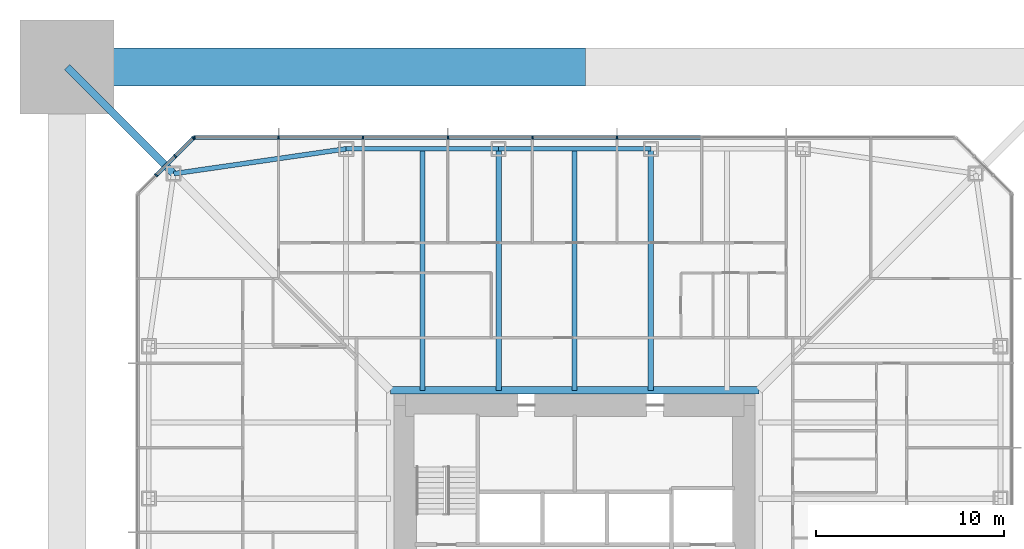
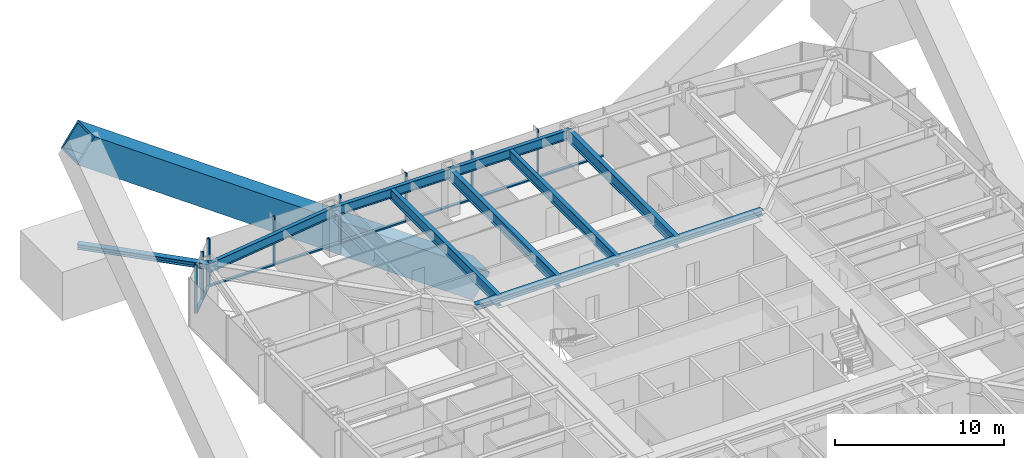
# One storey, part 8 of 28: 19 members, 8 beams, 2 elements without a shape of their own.
"""IFC4 building model written with IfcOpenShell, lengths in metres."""

from ifc_helpers import new_model, si_unit, direction, frame, origin, origin_2d, place, context, subcontext, project, spatial, rectangle, hollow_rectangle, i_section, extrude, material, material_profile, profile_set, type_object, element, aggregate, save


model = new_model("IFC4")

# Units and contexts
model_context = context("Model", 3, precision=1e-05, world=origin(), true_north=direction((0.0, 1.0)))
body_context = subcontext(model_context, "Body", "Model", "MODEL_VIEW")
ifc_project = project(units=[si_unit("LENGTHUNIT", "METRE"), si_unit("AREAUNIT", "SQUARE_METRE"), si_unit("VOLUMEUNIT", "CUBIC_METRE"), si_unit("PLANEANGLEUNIT", "RADIAN"), si_unit("MASSUNIT", "GRAM", prefix="KILO")], contexts=[model_context])

# Site, building, storey
site_placement = place(None, origin())
site = spatial("IfcSite", under=ifc_project, at=site_placement, CompositionType="ELEMENT")
building_placement = place(site_placement, origin())
building = spatial("IfcBuilding", under=site, at=building_placement, Name="Iwan Alto Co-Living Towers", CompositionType="ELEMENT")
storey_placement = place(building_placement, frame((0.0, 0.0, 64.0)))
storey = spatial("IfcBuildingStorey", under=building, at=storey_placement, Name="L17", CompositionType="ELEMENT", Elevation=64.0)

# Curtain wall, members
ifc_material_1 = material(Name="Bronze aluminium unitised frame", Category="aluminium")
curtain_wall_type_1 = type_object("IfcCurtainWallType", Name="CURTAIN WALL CW-A", PredefinedType="NOTDEFINED", material=ifc_material_1)
curtain_wall_1_placement = place(storey_placement, origin())
curtain_wall_1 = element("IfcCurtainWall", 1, at=curtain_wall_1_placement, inside=storey, type_object=curtain_wall_type_1, Name="T1 curtain wall N L17", PredefinedType="NOTDEFINED")
ifc_material_2 = material(Name="Aluminium 6063-T6 bronze anodised", Category="aluminium")
ifc_material_profile_1 = material_profile(ifc_material_2, rectangle(XDim=0.199951171875, YDim=0.080078125, at=origin_2d()), Name="AL 80X200")
ifc_profile_set_1 = profile_set([ifc_material_profile_1], Name="Aluminium 6063-T6 bronze anodised")
member_type_1 = type_object("IfcMemberType", Name="CW-A MULLION 80X200", PredefinedType="MULLION", material=ifc_profile_set_1)
member_1_placement = place(storey_placement, frame((2.25, 23.25, 0.0), z_axis=(0.0, 0.0, 1.0), x_axis=(0.0, -1.0, 0.0)))
member_1 = element("IfcMember", 2, at=member_1_placement, type_object=member_type_1, Name="CW-A mullion 5", PredefinedType="MULLION", context=body_context, shape_type="SweptSolid", body=[
    extrude(rectangle(XDim=0.199951171875, YDim=0.080078125, at=origin_2d()), origin(), (0.0, 0.0, 1.0), 3.5),
])
member_2_placement = place(storey_placement, frame((-2.25, 23.25, 0.0), z_axis=(0.0, 0.0, 1.0), x_axis=(0.0, -1.0, 0.0)))
member_2 = element("IfcMember", 3, at=member_2_placement, type_object=member_type_1, Name="CW-A mullion 6", PredefinedType="MULLION", context=body_context, shape_type="SweptSolid", body=[
    extrude(rectangle(XDim=0.199951171875, YDim=0.080078125, at=origin_2d()), origin(), (0.0, 0.0, 1.0), 3.5),
])
member_3_placement = place(storey_placement, frame((-6.75, 23.25, 0.0), z_axis=(0.0, 0.0, 1.0), x_axis=(0.0, -1.0, 0.0)))
member_3 = element("IfcMember", 4, at=member_3_placement, type_object=member_type_1, Name="CW-A mullion 7", PredefinedType="MULLION", context=body_context, shape_type="SweptSolid", body=[
    extrude(rectangle(XDim=0.199951171875, YDim=0.080078125, at=origin_2d()), origin(), (0.0, 0.0, 1.0), 3.5),
])
member_4_placement = place(storey_placement, frame((-11.25, 23.25, 0.0), z_axis=(0.0, 0.0, 1.0), x_axis=(0.0, -1.0, 0.0)))
member_4 = element("IfcMember", 5, at=member_4_placement, type_object=member_type_1, Name="CW-A mullion 8", PredefinedType="MULLION", context=body_context, shape_type="SweptSolid", body=[
    extrude(rectangle(XDim=0.199951171875, YDim=0.080078125, at=origin_2d()), origin(), (0.0, 0.0, 1.0), 3.5),
])
member_5_placement = place(storey_placement, frame((-15.75, 23.25, 0.0), z_axis=(0.0, 0.0, 1.0), x_axis=(0.0, -1.0, 0.0)))
member_5 = element("IfcMember", 6, at=member_5_placement, type_object=member_type_1, Name="CW-A mullion 9", PredefinedType="MULLION", context=body_context, shape_type="SweptSolid", body=[
    extrude(rectangle(XDim=0.199951171875, YDim=0.080078125, at=origin_2d()), origin(), (0.0, 0.0, 1.0), 3.5),
])
member_6_placement = place(storey_placement, frame((-20.2099609375, 23.25, 0.0), z_axis=(0.0, 0.0, 1.0), x_axis=(0.0, -1.0, 0.0)))
member_6 = element("IfcMember", 7, at=member_6_placement, type_object=member_type_1, Name="CW-A mullion 10", PredefinedType="MULLION", context=body_context, shape_type="SweptSolid", body=[
    extrude(rectangle(XDim=0.199951171875, YDim=0.080078125, at=origin_2d()), origin(), (0.0, 0.0, 1.0), 3.5),
])
ifc_material_3 = material(Name="Aluminium 6063-T6 bronze anodised", Category="aluminium")
ifc_material_profile_2 = material_profile(ifc_material_3, rectangle(XDim=0.199951171875, YDim=0.10009765625, at=origin_2d()), Name="AL 200X100")
ifc_profile_set_2 = profile_set([ifc_material_profile_2], Name="Aluminium 6063-T6 bronze anodised")
member_type_2 = type_object("IfcMemberType", Name="CW-A TRANSOM 200X100", PredefinedType="USERDEFINED", material=ifc_profile_set_2)
member_7_placement = place(storey_placement, frame((6.7099609375, 23.25, 0.050048828125), z_axis=(-1.0, 0.0, 0.0), x_axis=(0.0, -1.0, 0.0)))
member_7 = element("IfcMember", 8, at=member_7_placement, type_object=member_type_2, Name="CW-A transom 4.1", ObjectType="TRANSOM", PredefinedType="USERDEFINED", context=body_context, shape_type="SweptSolid", body=[
    extrude(rectangle(XDim=0.199951171875, YDim=0.10009765625, at=origin_2d()), origin(), (0.0, 0.0, 1.0), 4.419921875),
])
member_8_placement = place(storey_placement, frame((2.2099609375, 23.25, 0.050048828125), z_axis=(-1.0, 0.0, 0.0), x_axis=(0.0, -1.0, 0.0)))
member_8 = element("IfcMember", 9, at=member_8_placement, type_object=member_type_2, Name="CW-A transom 5.1", ObjectType="TRANSOM", PredefinedType="USERDEFINED", context=body_context, shape_type="SweptSolid", body=[
    extrude(rectangle(XDim=0.199951171875, YDim=0.10009765625, at=origin_2d()), origin(), (0.0, 0.0, 1.0), 4.419921875),
])
member_9_placement = place(storey_placement, frame((-2.2900390625, 23.25, 0.050048828125), z_axis=(-1.0, 0.0, 0.0), x_axis=(0.0, -1.0, 0.0)))
member_9 = element("IfcMember", 10, at=member_9_placement, type_object=member_type_2, Name="CW-A transom 6.1", ObjectType="TRANSOM", PredefinedType="USERDEFINED", context=body_context, shape_type="SweptSolid", body=[
    extrude(rectangle(XDim=0.199951171875, YDim=0.10009765625, at=origin_2d()), origin(), (0.0, 0.0, 1.0), 4.419921875),
])
member_10_placement = place(storey_placement, frame((-6.7900390625, 23.25, 0.050048828125), z_axis=(-1.0, 0.0, 0.0), x_axis=(0.0, -1.0, 0.0)))
member_10 = element("IfcMember", 11, at=member_10_placement, type_object=member_type_2, Name="CW-A transom 7.1", ObjectType="TRANSOM", PredefinedType="USERDEFINED", context=body_context, shape_type="SweptSolid", body=[
    extrude(rectangle(XDim=0.199951171875, YDim=0.10009765625, at=origin_2d()), origin(), (0.0, 0.0, 1.0), 4.419921875),
])
member_11_placement = place(storey_placement, frame((-11.2900390625, 23.25, 0.050048828125), z_axis=(-1.0, 0.0, 0.0), x_axis=(0.0, -1.0, 0.0)))
member_11 = element("IfcMember", 12, at=member_11_placement, type_object=member_type_2, Name="CW-A transom 8.1", ObjectType="TRANSOM", PredefinedType="USERDEFINED", context=body_context, shape_type="SweptSolid", body=[
    extrude(rectangle(XDim=0.199951171875, YDim=0.10009765625, at=origin_2d()), origin(), (0.0, 0.0, 1.0), 4.419921875),
])
member_12_placement = place(storey_placement, frame((-15.7900390625, 23.25, 0.050048828125), z_axis=(-1.0, 0.0, 0.0), x_axis=(0.0, -1.0, 0.0)))
member_12 = element("IfcMember", 13, at=member_12_placement, type_object=member_type_2, Name="CW-A transom 9.1", ObjectType="TRANSOM", PredefinedType="USERDEFINED", context=body_context, shape_type="SweptSolid", body=[
    extrude(rectangle(XDim=0.199951171875, YDim=0.10009765625, at=origin_2d()), origin(), (0.0, 0.0, 1.0), 4.3798828125),
])
aggregate(curtain_wall_1, [member_1, member_2, member_3, member_4, member_5, member_6, member_7, member_8, member_9, member_10, member_11, member_12])

ifc_material_4 = material(Name="Bronze aluminium unitised frame", Category="aluminium")
curtain_wall_type_2 = type_object("IfcCurtainWallType", Name="CURTAIN WALL CW-B", PredefinedType="NOTDEFINED", material=ifc_material_4)
curtain_wall_2_placement = place(storey_placement, origin())
curtain_wall_2 = element("IfcCurtainWall", 14, at=curtain_wall_2_placement, inside=storey, type_object=curtain_wall_type_2, Name="T1 chamfer curtain wall NW L17", PredefinedType="NOTDEFINED")
ifc_material_5 = material(Name="Aluminium 6063-T6 bronze anodised", Category="aluminium")
ifc_material_profile_3 = material_profile(ifc_material_5, rectangle(XDim=0.199951171875, YDim=0.080078125, at=origin_2d()), Name="AL 80X200")
ifc_profile_set_3 = profile_set([ifc_material_profile_3], Name="Aluminium 6063-T6 bronze anodised")
member_type_3 = type_object("IfcMemberType", Name="CW-B MULLION 80X200", PredefinedType="MULLION", material=ifc_profile_set_3)
member_13_placement = place(storey_placement, frame((-20.2783203125, 23.2216796875, 0.0), z_axis=(0.0, 0.0, 1.0), x_axis=(0.707106781187, -0.707106781187, 0.0)))
member_13 = element("IfcMember", 15, at=member_13_placement, type_object=member_type_3, Name="CW-B mullion 1", PredefinedType="MULLION", context=body_context, shape_type="SweptSolid", body=[
    extrude(rectangle(XDim=0.199951171875, YDim=0.080078125, at=origin_2d()), origin(), (0.0, 0.0, 1.0), 3.5),
])
member_14_placement = place(storey_placement, frame((-21.25, 22.25, 0.0), z_axis=(0.0, 0.0, 1.0), x_axis=(0.707106781187, -0.707106781187, 0.0)))
member_14 = element("IfcMember", 16, at=member_14_placement, type_object=member_type_3, Name="CW-B mullion 2", PredefinedType="MULLION", context=body_context, shape_type="SweptSolid", body=[
    extrude(rectangle(XDim=0.199951171875, YDim=0.080078125, at=origin_2d()), origin(), (0.0, 0.0, 1.0), 3.5),
])
member_15_placement = place(storey_placement, frame((-22.25, 21.25, 0.0), z_axis=(0.0, 0.0, 1.0), x_axis=(0.707106781187, -0.707106781187, 0.0)))
member_15 = element("IfcMember", 17, at=member_15_placement, type_object=member_type_3, Name="CW-B mullion 3", PredefinedType="MULLION", context=body_context, shape_type="SweptSolid", body=[
    extrude(rectangle(XDim=0.199951171875, YDim=0.080078125, at=origin_2d()), origin(), (0.0, 0.0, 1.0), 3.5),
])
ifc_material_6 = material(Name="Aluminium 6063-T6 bronze anodised", Category="aluminium")
ifc_material_profile_4 = material_profile(ifc_material_6, rectangle(XDim=0.199951171875, YDim=0.10009765625, at=origin_2d()), Name="AL 200X100")
ifc_profile_set_4 = profile_set([ifc_material_profile_4], Name="Aluminium 6063-T6 bronze anodised")
member_type_4 = type_object("IfcMemberType", Name="CW-B TRANSOM 200X100", PredefinedType="USERDEFINED", material=ifc_profile_set_4)
member_16_placement = place(storey_placement, frame((-20.306640625, 23.193359375, 0.050048828125), z_axis=(-0.707106781187, -0.707106781187, 0.0), x_axis=(0.707106781187, -0.707106781187, 0.0)))
member_16 = element("IfcMember", 18, at=member_16_placement, type_object=member_type_4, Name="CW-B transom 1.1", ObjectType="TRANSOM", PredefinedType="USERDEFINED", context=body_context, shape_type="SweptSolid", body=[
    extrude(rectangle(XDim=0.199951171875, YDim=0.10009765625, at=origin_2d()), origin(), (0.0, 0.0, 1.0), 1.2939453125),
])
member_17_placement = place(storey_placement, frame((-21.2783203125, 22.2216796875, 0.050048828125), z_axis=(-0.707106781187, -0.707106781187, 0.0), x_axis=(0.707106781187, -0.707106781187, 0.0)))
member_17 = element("IfcMember", 19, at=member_17_placement, type_object=member_type_4, Name="CW-B transom 2.1", ObjectType="TRANSOM", PredefinedType="USERDEFINED", context=body_context, shape_type="SweptSolid", body=[
    extrude(rectangle(XDim=0.199951171875, YDim=0.10009765625, at=origin_2d()), origin(), (0.0, 0.0, 1.0), 1.334228515625),
])
aggregate(curtain_wall_2, [member_13, member_14, member_15, member_16, member_17])

# Beams
ifc_material_7 = material(Name="Steel ASTM A992 Gr 50", Category="steel")
ifc_material_profile_5 = material_profile(ifc_material_7, i_section(OverallWidth=0.398681640625, OverallDepth=0.385986328125, WebThickness=0.02099609375, FlangeThickness=0.033203125, at=origin_2d()), Name="W14X176")
ifc_profile_set_5 = profile_set([ifc_material_profile_5], Name="Steel ASTM A992 Gr 50")
beam_type_1 = type_object("IfcBeamType", Name="T1 CORE LEDGER BEAM W14X176", PredefinedType="BEAM", material=ifc_profile_set_5)
beam_1_placement = place(storey_placement, frame((9.79931640625, 9.79931640625, 3.076904296875), z_axis=(-1.0, 0.0, 0.0), x_axis=(0.0, -1.0, 0.0)))
element("IfcBeam", 20, at=beam_1_placement, inside=storey, type_object=beam_type_1, Name="T1 core ledger beam N L18", PredefinedType="BEAM", context=body_context, shape_type="SweptSolid", body=[
    extrude(i_section(OverallWidth=0.398681640625, OverallDepth=0.385986328125, WebThickness=0.02099609375, FlangeThickness=0.033203125, at=origin_2d()), origin(), (0.0, 0.0, 1.0), 19.5986328125),
])
ifc_material_8 = material(Name="Steel ASTM A992 Gr 50", Category="steel")
ifc_material_profile_6 = material_profile(ifc_material_8, i_section(OverallWidth=0.25390625, OverallDepth=0.683349609375, WebThickness=0.012451171875, FlangeThickness=0.018798828125, at=origin_2d()), Name="W27X94")
ifc_profile_set_6 = profile_set([ifc_material_profile_6], Name="Steel ASTM A992 Gr 50")
beam_type_2 = type_object("IfcBeamType", Name="T1 EDGE BEAM W27X94", PredefinedType="BEAM", material=ifc_profile_set_6)
beam_2_placement = place(storey_placement, frame((4.050048828125, 22.64990234375, 2.928466796875), z_axis=(-1.0, 0.0, 0.0), x_axis=(0.0, -1.0, 0.0)))
element("IfcBeam", 21, at=beam_2_placement, inside=storey, type_object=beam_type_2, Name="T1 edge beam N2 L18", PredefinedType="BEAM", context=body_context, shape_type="SweptSolid", body=[
    extrude(i_section(OverallWidth=0.25390625, OverallDepth=0.683349609375, WebThickness=0.012451171875, FlangeThickness=0.018798828125, at=origin_2d()), origin(), (0.0, 0.0, 1.0), 8.10009765625),
])
beam_3_placement = place(storey_placement, frame((-4.050048828125, 22.64990234375, 2.928466796875), z_axis=(-1.0, 0.0, 0.0), x_axis=(0.0, -1.0, 0.0)))
element("IfcBeam", 22, at=beam_3_placement, inside=storey, type_object=beam_type_2, Name="T1 edge beam N3 L18", PredefinedType="BEAM", context=body_context, shape_type="SweptSolid", body=[
    extrude(i_section(OverallWidth=0.25390625, OverallDepth=0.683349609375, WebThickness=0.012451171875, FlangeThickness=0.018798828125, at=origin_2d()), origin(), (0.0, 0.0, 1.0), 8.099853515625),
])
beam_4_placement = place(storey_placement, frame((-12.14990234375, 22.64990234375, 2.928466796875), z_axis=(-0.989746234347, -0.142836940589, 0.0), x_axis=(0.142836940589, -0.989746234347, 0.0)))
element("IfcBeam", 23, at=beam_4_placement, inside=storey, type_object=beam_type_2, Name="T1 edge beam N4 L18", PredefinedType="BEAM", context=body_context, shape_type="SweptSolid", body=[
    extrude(i_section(OverallWidth=0.25390625, OverallDepth=0.683349609375, WebThickness=0.012451171875, FlangeThickness=0.018798828125, at=origin_2d()), origin(), (0.0, 0.0, 1.0), 9.270751953125),
])

# Members
ifc_material_9 = material(Name="Steel ASTM A572 Gr 42", Category="steel")
ifc_material_profile_7 = material_profile(ifc_material_9, hollow_rectangle(XDim=2.0, YDim=2.0, WallThickness=0.139892578125, at=origin_2d()), Name="BOX 2000X2000X140")
ifc_profile_set_7 = profile_set([ifc_material_profile_7], Name="Steel ASTM A572 Gr 42")
member_type_5 = type_object("IfcMemberType", Name="T1 MEGA BRACE BOX 2000X2000X140", PredefinedType="BRACE", material=ifc_profile_set_7)
member_18_placement = place(storey_placement, frame((0.0, 27.0, -8.75), z_axis=(-0.814242569702, 0.0, 0.580524795065), x_axis=(0.0, -1.0, 0.0)))
element("IfcMember", 24, at=member_18_placement, inside=storey, type_object=member_type_5, Name="T1 mega brace Z1B N 1 upper", PredefinedType="BRACE", context=body_context, shape_type="SweptSolid", body=[
    extrude(hollow_rectangle(XDim=2.0, YDim=2.0, WallThickness=0.139892578125, at=origin_2d()), origin(), (0.0, 0.0, 1.0), 33.15966796875),
])
ifc_material_10 = material(Name="Steel ASTM A992 Gr 50", Category="steel")
ifc_material_profile_8 = material_profile(ifc_material_10, i_section(OverallWidth=0.393798828125, OverallDepth=0.3759765625, WebThickness=0.017333984375, FlangeThickness=0.027587890625, at=origin_2d()), Name="W14X145")
ifc_profile_set_8 = profile_set([ifc_material_profile_8], Name="Steel ASTM A992 Gr 50")
member_type_6 = type_object("IfcMemberType", Name="T1 MEGA COLUMN FLOOR TIE W14X145", PredefinedType="STRUT", material=ifc_profile_set_8)
member_19_placement = place(storey_placement, frame((-27.0, 27.0, 3.08203125), z_axis=(0.707106781187, -0.707106781187, 0.0), x_axis=(0.707106781187, 0.707106781187, 0.0)))
element("IfcMember", 25, at=member_19_placement, inside=storey, type_object=member_type_6, Name="T1 mega column floor tie NW L18", PredefinedType="STRUT", context=body_context, shape_type="SweptSolid", body=[
    extrude(i_section(OverallWidth=0.393798828125, OverallDepth=0.3759765625, WebThickness=0.017333984375, FlangeThickness=0.027587890625, at=origin_2d()), origin(), (0.0, 0.0, 1.0), 8.024658203125),
])

# Beams
ifc_material_11 = material(Name="Steel ASTM A992 Gr 50", Category="steel")
ifc_material_profile_9 = material_profile(ifc_material_11, i_section(OverallWidth=0.2919921875, OverallDepth=0.8408203125, WebThickness=0.0146484375, FlangeThickness=0.021728515625, at=origin_2d()), Name="W33X130")
ifc_profile_set_9 = profile_set([ifc_material_profile_9], Name="Steel ASTM A992 Gr 50")
beam_type_3 = type_object("IfcBeamType", Name="T1 RADIAL BEAM W33X130", PredefinedType="BEAM", material=ifc_profile_set_9)
for number, where, z_axis, x_axis, name in (
    (26, (4.050048828125, 22.64990234375, 2.849609375), (0.0, -1.0, 0.0), (1.0, 0.0, 0.0), "T1 radial beam N2 L18"),
    (27, (-4.050048828125, 22.64990234375, 2.849609375), (0.0, -1.0, 0.0), (1.0, 0.0, 0.0), "T1 radial beam N3 L18"),
):
    element("IfcBeam", number, at=place(storey_placement, frame(where, z_axis=z_axis, x_axis=x_axis)), inside=storey, type_object=beam_type_3, Name=name, PredefinedType="BEAM", context=body_context, shape_type="SweptSolid", body=[
        extrude(i_section(OverallWidth=0.2919921875, OverallDepth=0.8408203125, WebThickness=0.0146484375, FlangeThickness=0.021728515625, at=origin_2d()), origin(), (0.0, 0.0, 1.0), 12.8505859375),
    ])
ifc_material_12 = material(Name="Steel ASTM A992 Gr 50", Category="steel")
ifc_material_profile_10 = material_profile(ifc_material_12, i_section(OverallWidth=0.2666015625, OverallDepth=0.761962890625, WebThickness=0.014404296875, FlangeThickness=0.021484375, at=origin_2d()), Name="W30X116")
ifc_profile_set_10 = profile_set([ifc_material_profile_10], Name="Steel ASTM A992 Gr 50")
beam_type_4 = type_object("IfcBeamType", Name="T1 SECONDARY BEAM W30X116", PredefinedType="JOIST", material=ifc_profile_set_10)
for number, where, z_axis, x_axis, name in (
    (28, (0.0, 22.64990234375, 2.888916015625), (0.0, -1.0, 0.0), (1.0, 0.0, 0.0), "T1 secondary beam N2 L18"),
    (29, (-8.10009765625, 22.64990234375, 2.888916015625), (0.0, -1.0, 0.0), (1.0, 0.0, 0.0), "T1 secondary beam N3 L18"),
):
    element("IfcBeam", number, at=place(storey_placement, frame(where, z_axis=z_axis, x_axis=x_axis)), inside=storey, type_object=beam_type_4, Name=name, PredefinedType="JOIST", context=body_context, shape_type="SweptSolid", body=[
        extrude(i_section(OverallWidth=0.2666015625, OverallDepth=0.761962890625, WebThickness=0.014404296875, FlangeThickness=0.021484375, at=origin_2d()), origin(), (0.0, 0.0, 1.0), 12.8505859375),
    ])

save(model, "model.ifc")
